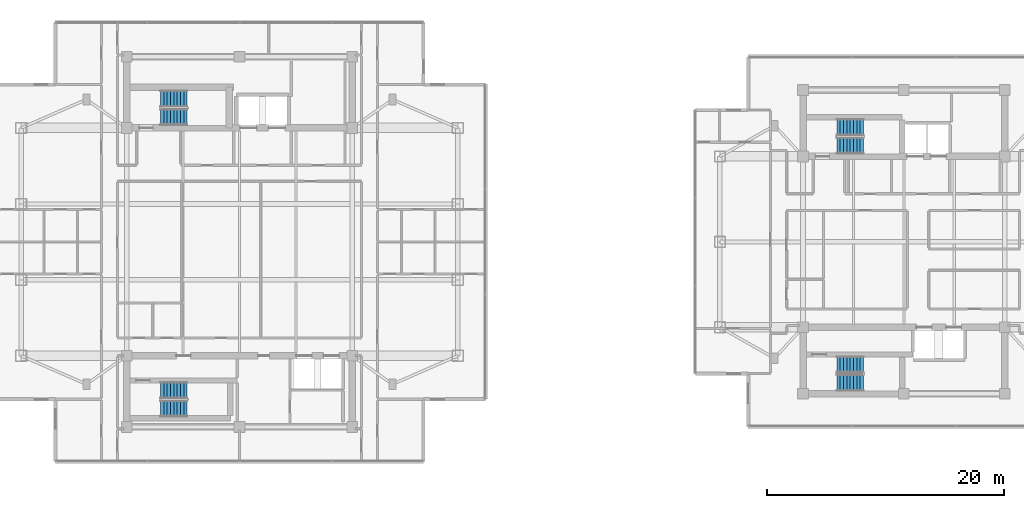
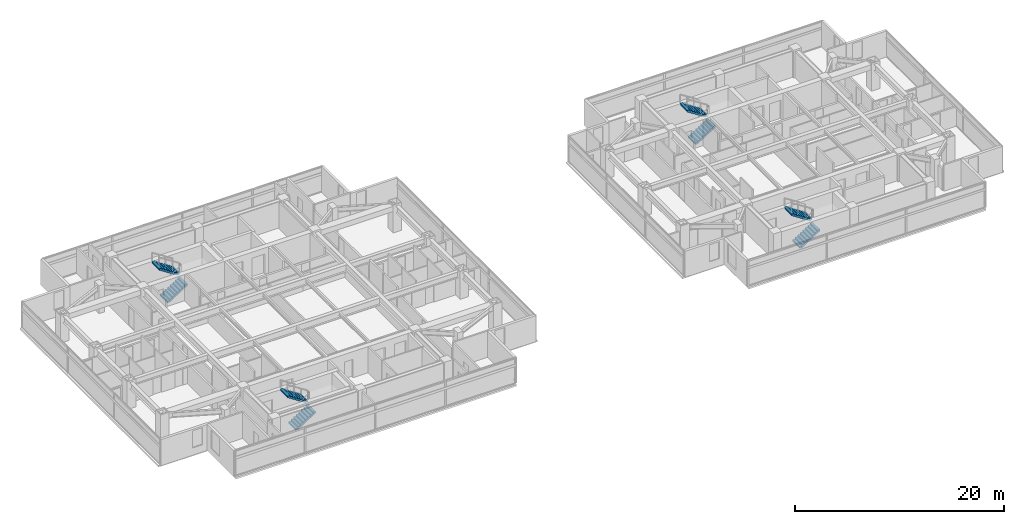
# One storey, part 18 of 24: 8 stair flights, 4 elements without a shape of their own.
"""IFC4 building model written with IfcOpenShell, lengths in metres."""

from ifc_helpers import new_model, si_unit, direction, frame, origin, place, context, subcontext, project, spatial, polyline, outline, extrude, material, type_object, element, aggregate, save


model = new_model("IFC4")

# Units and contexts
model_context = context("Model", 3, precision=1e-05, world=origin(), true_north=direction((0.0, 1.0)))
body_context = subcontext(model_context, "Body", "Model", "MODEL_VIEW")
ifc_project = project(units=[si_unit("LENGTHUNIT", "METRE"), si_unit("AREAUNIT", "SQUARE_METRE"), si_unit("VOLUMEUNIT", "CUBIC_METRE"), si_unit("PLANEANGLEUNIT", "RADIAN"), si_unit("MASSUNIT", "GRAM", prefix="KILO")], contexts=[model_context])

# Site, building, storey
site_placement = place(None, origin())
site = spatial("IfcSite", under=ifc_project, at=site_placement, CompositionType="ELEMENT")
building_placement = place(site_placement, origin())
building = spatial("IfcBuilding", under=site, at=building_placement, Name="Mirazonda Arch Towers", CompositionType="ELEMENT")
storey_placement = place(building_placement, frame((0.0, 0.0, 199.89990234375)))
storey = spatial("IfcBuildingStorey", under=building, at=storey_placement, Name="L57", CompositionType="ELEMENT", Elevation=199.89990234375)

# Stair, stair flights
ifc_material = material(Name="Concrete C40/50", Category="concrete")
stair_type = type_object("IfcStairType", Name="STAIR-CORE-1400", PredefinedType="HALF_TURN_STAIR", material=ifc_material)
stair_1_placement = place(storey_placement, origin())
stair_1 = element("IfcStair", 1, at=stair_1_placement, inside=storey, type_object=stair_type, Name="L57 Protected Exit Stair ST-T1N", PredefinedType="HALF_TURN_STAIR")
stair_flight_type = type_object("IfcStairFlightType", Name="FLIGHT-1400", PredefinedType="STRAIGHT", material=ifc_material)
stair_flight_1_placement = place(storey_placement, frame((13.85009765625, 38.52001953125, 0.0), z_axis=(0.0, 0.0, 1.0), x_axis=(1.0, 0.0, 0.0)))
stair_flight_1 = element("IfcStairFlight", 2, at=stair_flight_1_placement, type_object=stair_flight_type, Name="ST-T1N flight 1", NumberOfRisers=9, NumberOfTreads=8, PredefinedType="STRAIGHT", RiserHeight=0.180555556, TreadLength=0.28, context=body_context, shape_type="SweptSolid", body=[
    extrude(outline(polyline([(0.0, 0.0), (0.0, 0.1806640625), (0.280029296875, 0.1806640625), (0.280029296875, 0.361083984375), (0.56005859375, 0.361083984375), (0.56005859375, 0.541748046875), (0.840087890625, 0.541748046875), (0.840087890625, 0.72216796875), (1.1201171875, 0.72216796875), (1.1201171875, 0.90283203125), (1.39990234375, 0.90283203125), (1.39990234375, 1.083251953125), (1.679931640625, 1.083251953125), (1.679931640625, 1.263916015625), (1.9599609375, 1.263916015625), (1.9599609375, 1.4443359375), (2.239990234375, 1.4443359375), (2.239990234375, 1.625), (2.239990234375, 1.254150390625), (0.295166015625, 0.0), (0.0, 0.0)])), frame((0.0, 0.699951171875, 0.0), z_axis=(0.0, -1.0, 0.0), x_axis=(1.0, 0.0, 0.0)), (0.0, 0.0, 1.0), 1.39990234375),
])
stair_flight_2_placement = place(storey_placement, frame((16.090087890625, 40.06005859375, 1.625), z_axis=(0.0, 0.0, 1.0), x_axis=(-1.0, 0.0, 0.0)))
stair_flight_2 = element("IfcStairFlight", 3, at=stair_flight_2_placement, type_object=stair_flight_type, Name="ST-T1N flight 2", NumberOfRisers=9, NumberOfTreads=8, PredefinedType="STRAIGHT", RiserHeight=0.180555556, TreadLength=0.28, context=body_context, shape_type="SweptSolid", body=[
    extrude(outline(polyline([(0.0, 0.0), (0.0, 0.1806640625), (0.280029296875, 0.1806640625), (0.280029296875, 0.361083984375), (0.56005859375, 0.361083984375), (0.56005859375, 0.541748046875), (0.840087890625, 0.541748046875), (0.840087890625, 0.72216796875), (1.1201171875, 0.72216796875), (1.1201171875, 0.90283203125), (1.39990234375, 0.90283203125), (1.39990234375, 1.083251953125), (1.679931640625, 1.083251953125), (1.679931640625, 1.263916015625), (1.9599609375, 1.263916015625), (1.9599609375, 1.4443359375), (2.239990234375, 1.4443359375), (2.239990234375, 1.625), (2.239990234375, 1.254150390625), (0.295166015625, 0.0), (0.0, 0.0)])), frame((0.0, 0.699951171875, 0.0), z_axis=(0.0, -1.0, 0.0), x_axis=(1.0, 0.0, 0.0)), (0.0, 0.0, 1.0), 1.39990234375),
])
aggregate(stair_1, [stair_flight_1, stair_flight_2])

stair_2_placement = place(storey_placement, origin())
stair_2 = element("IfcStair", 4, at=stair_2_placement, inside=storey, type_object=stair_type, Name="L57 Protected Exit Stair ST-T1S", PredefinedType="HALF_TURN_STAIR")
stair_flight_3_placement = place(storey_placement, frame((13.85009765625, 13.949951171875, 0.0), z_axis=(0.0, 0.0, 1.0), x_axis=(1.0, 0.0, 0.0)))
stair_flight_3 = element("IfcStairFlight", 5, at=stair_flight_3_placement, type_object=stair_flight_type, Name="ST-T1S flight 1", NumberOfRisers=9, NumberOfTreads=8, PredefinedType="STRAIGHT", RiserHeight=0.180555556, TreadLength=0.28, context=body_context, shape_type="SweptSolid", body=[
    extrude(outline(polyline([(0.0, 0.0), (0.0, 0.1806640625), (0.280029296875, 0.1806640625), (0.280029296875, 0.361083984375), (0.56005859375, 0.361083984375), (0.56005859375, 0.541748046875), (0.840087890625, 0.541748046875), (0.840087890625, 0.72216796875), (1.1201171875, 0.72216796875), (1.1201171875, 0.90283203125), (1.39990234375, 0.90283203125), (1.39990234375, 1.083251953125), (1.679931640625, 1.083251953125), (1.679931640625, 1.263916015625), (1.9599609375, 1.263916015625), (1.9599609375, 1.4443359375), (2.239990234375, 1.4443359375), (2.239990234375, 1.625), (2.239990234375, 1.254150390625), (0.295166015625, 0.0), (0.0, 0.0)])), frame((0.0, 0.699951171875, 0.0), z_axis=(0.0, -1.0, 0.0), x_axis=(1.0, 0.0, 0.0)), (0.0, 0.0, 1.0), 1.39990234375),
])
stair_flight_4_placement = place(storey_placement, frame((16.090087890625, 15.489990234375, 1.625), z_axis=(0.0, 0.0, 1.0), x_axis=(-1.0, 0.0, 0.0)))
stair_flight_4 = element("IfcStairFlight", 6, at=stair_flight_4_placement, type_object=stair_flight_type, Name="ST-T1S flight 2", NumberOfRisers=9, NumberOfTreads=8, PredefinedType="STRAIGHT", RiserHeight=0.180555556, TreadLength=0.28, context=body_context, shape_type="SweptSolid", body=[
    extrude(outline(polyline([(0.0, 0.0), (0.0, 0.1806640625), (0.280029296875, 0.1806640625), (0.280029296875, 0.361083984375), (0.56005859375, 0.361083984375), (0.56005859375, 0.541748046875), (0.840087890625, 0.541748046875), (0.840087890625, 0.72216796875), (1.1201171875, 0.72216796875), (1.1201171875, 0.90283203125), (1.39990234375, 0.90283203125), (1.39990234375, 1.083251953125), (1.679931640625, 1.083251953125), (1.679931640625, 1.263916015625), (1.9599609375, 1.263916015625), (1.9599609375, 1.4443359375), (2.239990234375, 1.4443359375), (2.239990234375, 1.625), (2.239990234375, 1.254150390625), (0.295166015625, 0.0), (0.0, 0.0)])), frame((0.0, 0.699951171875, 0.0), z_axis=(0.0, -1.0, 0.0), x_axis=(1.0, 0.0, 0.0)), (0.0, 0.0, 1.0), 1.39990234375),
])
aggregate(stair_2, [stair_flight_3, stair_flight_4])

stair_3_placement = place(storey_placement, origin())
stair_3 = element("IfcStair", 7, at=stair_3_placement, inside=storey, type_object=stair_type, Name="L57 Protected Exit Stair ST-T2N", PredefinedType="HALF_TURN_STAIR")
stair_flight_5_placement = place(storey_placement, frame((70.85009765625, 36.1201171875, 0.0), z_axis=(0.0, 0.0, 1.0), x_axis=(1.0, 0.0, 0.0)))
stair_flight_5 = element("IfcStairFlight", 8, at=stair_flight_5_placement, type_object=stair_flight_type, Name="ST-T2N flight 1", NumberOfRisers=9, NumberOfTreads=8, PredefinedType="STRAIGHT", RiserHeight=0.180555556, TreadLength=0.28, context=body_context, shape_type="SweptSolid", body=[
    extrude(outline(polyline([(0.0, 0.0), (0.0, 0.1806640625), (0.280029296875, 0.1806640625), (0.280029296875, 0.361083984375), (0.56005859375, 0.361083984375), (0.56005859375, 0.541748046875), (0.840087890625, 0.541748046875), (0.840087890625, 0.72216796875), (1.1201171875, 0.72216796875), (1.1201171875, 0.90283203125), (1.39990234375, 0.90283203125), (1.39990234375, 1.083251953125), (1.679931640625, 1.083251953125), (1.679931640625, 1.263916015625), (1.9599609375, 1.263916015625), (1.9599609375, 1.4443359375), (2.239990234375, 1.4443359375), (2.239990234375, 1.625), (2.239990234375, 1.254150390625), (0.295166015625, 0.0), (0.0, 0.0)])), frame((0.0, 0.699951171875, 0.0), z_axis=(0.0, -1.0, 0.0), x_axis=(1.0, 0.0, 0.0)), (0.0, 0.0, 1.0), 1.39990234375),
])
stair_flight_6_placement = place(storey_placement, frame((73.090087890625, 37.659912109375, 1.625), z_axis=(0.0, 0.0, 1.0), x_axis=(-1.0, 0.0, 0.0)))
stair_flight_6 = element("IfcStairFlight", 9, at=stair_flight_6_placement, type_object=stair_flight_type, Name="ST-T2N flight 2", NumberOfRisers=9, NumberOfTreads=8, PredefinedType="STRAIGHT", RiserHeight=0.180555556, TreadLength=0.28, context=body_context, shape_type="SweptSolid", body=[
    extrude(outline(polyline([(0.0, 0.0), (0.0, 0.1806640625), (0.280029296875, 0.1806640625), (0.280029296875, 0.361083984375), (0.56005859375, 0.361083984375), (0.56005859375, 0.541748046875), (0.840087890625, 0.541748046875), (0.840087890625, 0.72216796875), (1.1201171875, 0.72216796875), (1.1201171875, 0.90283203125), (1.39990234375, 0.90283203125), (1.39990234375, 1.083251953125), (1.679931640625, 1.083251953125), (1.679931640625, 1.263916015625), (1.9599609375, 1.263916015625), (1.9599609375, 1.4443359375), (2.239990234375, 1.4443359375), (2.239990234375, 1.625), (2.239990234375, 1.254150390625), (0.295166015625, 0.0), (0.0, 0.0)])), frame((0.0, 0.699951171875, 0.0), z_axis=(0.0, -1.0, 0.0), x_axis=(1.0, 0.0, 0.0)), (0.0, 0.0, 1.0), 1.39990234375),
])
aggregate(stair_3, [stair_flight_5, stair_flight_6])

stair_4_placement = place(storey_placement, origin())
stair_4 = element("IfcStair", 10, at=stair_4_placement, inside=storey, type_object=stair_type, Name="L57 Protected Exit Stair ST-T2S", PredefinedType="HALF_TURN_STAIR")
stair_flight_7_placement = place(storey_placement, frame((70.85009765625, 16.1201171875, 0.0), z_axis=(0.0, 0.0, 1.0), x_axis=(1.0, 0.0, 0.0)))
stair_flight_7 = element("IfcStairFlight", 11, at=stair_flight_7_placement, type_object=stair_flight_type, Name="ST-T2S flight 1", NumberOfRisers=9, NumberOfTreads=8, PredefinedType="STRAIGHT", RiserHeight=0.180555556, TreadLength=0.28, context=body_context, shape_type="SweptSolid", body=[
    extrude(outline(polyline([(0.0, 0.0), (0.0, 0.1806640625), (0.280029296875, 0.1806640625), (0.280029296875, 0.361083984375), (0.56005859375, 0.361083984375), (0.56005859375, 0.541748046875), (0.840087890625, 0.541748046875), (0.840087890625, 0.72216796875), (1.1201171875, 0.72216796875), (1.1201171875, 0.90283203125), (1.39990234375, 0.90283203125), (1.39990234375, 1.083251953125), (1.679931640625, 1.083251953125), (1.679931640625, 1.263916015625), (1.9599609375, 1.263916015625), (1.9599609375, 1.4443359375), (2.239990234375, 1.4443359375), (2.239990234375, 1.625), (2.239990234375, 1.254150390625), (0.295166015625, 0.0), (0.0, 0.0)])), frame((0.0, 0.699951171875, 0.0), z_axis=(0.0, -1.0, 0.0), x_axis=(1.0, 0.0, 0.0)), (0.0, 0.0, 1.0), 1.39990234375),
])
stair_flight_8_placement = place(storey_placement, frame((73.090087890625, 17.659912109375, 1.625), z_axis=(0.0, 0.0, 1.0), x_axis=(-1.0, 0.0, 0.0)))
stair_flight_8 = element("IfcStairFlight", 12, at=stair_flight_8_placement, type_object=stair_flight_type, Name="ST-T2S flight 2", NumberOfRisers=9, NumberOfTreads=8, PredefinedType="STRAIGHT", RiserHeight=0.180555556, TreadLength=0.28, context=body_context, shape_type="SweptSolid", body=[
    extrude(outline(polyline([(0.0, 0.0), (0.0, 0.1806640625), (0.280029296875, 0.1806640625), (0.280029296875, 0.361083984375), (0.56005859375, 0.361083984375), (0.56005859375, 0.541748046875), (0.840087890625, 0.541748046875), (0.840087890625, 0.72216796875), (1.1201171875, 0.72216796875), (1.1201171875, 0.90283203125), (1.39990234375, 0.90283203125), (1.39990234375, 1.083251953125), (1.679931640625, 1.083251953125), (1.679931640625, 1.263916015625), (1.9599609375, 1.263916015625), (1.9599609375, 1.4443359375), (2.239990234375, 1.4443359375), (2.239990234375, 1.625), (2.239990234375, 1.254150390625), (0.295166015625, 0.0), (0.0, 0.0)])), frame((0.0, 0.699951171875, 0.0), z_axis=(0.0, -1.0, 0.0), x_axis=(1.0, 0.0, 0.0)), (0.0, 0.0, 1.0), 1.39990234375),
])
aggregate(stair_4, [stair_flight_7, stair_flight_8])

save(model, "model.ifc")
